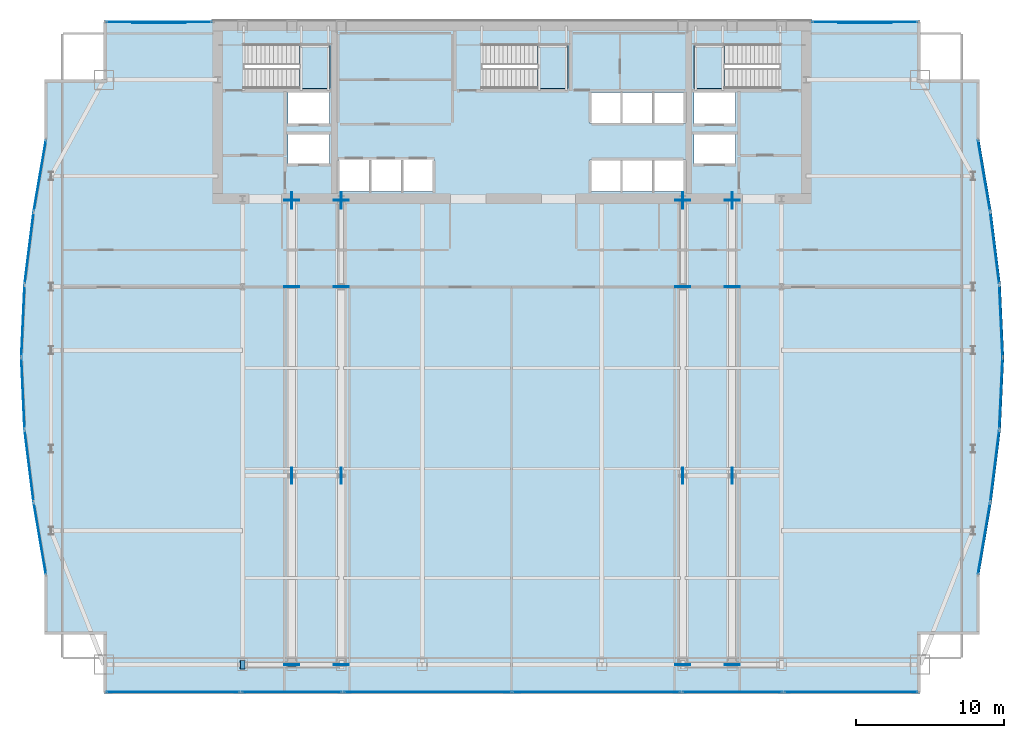
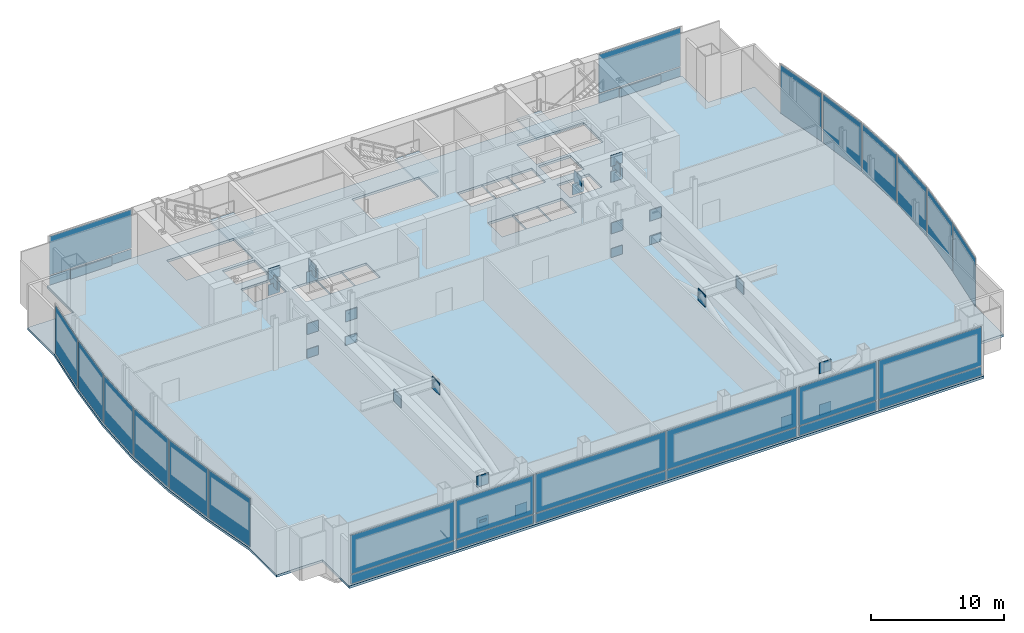
# One storey, part 23 of 30: 60 plates, 4 slabs, 22 elements without a shape of their own.
"""IFC4 building model written with IfcOpenShell, lengths in metres."""

from ifc_helpers import new_model, si_unit, direction, frame, origin, origin_2d, place, context, subcontext, project, spatial, polyline, rectangle, outline, extrude, material, layer, layer_set, type_object, element, aggregate, save


model = new_model("IFC4")

# Units and contexts
model_context = context("Model", 3, precision=1e-05, world=origin(), true_north=direction((0.0, 1.0)))
body_context = subcontext(model_context, "Body", "Model", "MODEL_VIEW")
ifc_project = project(units=[si_unit("LENGTHUNIT", "METRE"), si_unit("AREAUNIT", "SQUARE_METRE"), si_unit("VOLUMEUNIT", "CUBIC_METRE"), si_unit("PLANEANGLEUNIT", "RADIAN"), si_unit("MASSUNIT", "GRAM", prefix="KILO")], contexts=[model_context])

# Site, building, storey
site_placement = place(None, origin())
site = spatial("IfcSite", under=ifc_project, at=site_placement, CompositionType="ELEMENT")
building_placement = place(site_placement, origin())
building = spatial("IfcBuilding", under=site, at=building_placement, Name="Khoronbel Lancet Exchange", CompositionType="ELEMENT")
storey_placement = place(building_placement, frame((0.0, 0.0, 172.199951171875)))
storey = spatial("IfcBuildingStorey", under=building, at=storey_placement, Name="L43", CompositionType="ELEMENT", Elevation=172.199951171875)

# Curtain wall, plate
ifc_material_1 = material(Name="Low-E Solar Control Insulating Glass", Category="glass")
curtain_wall_type_1 = type_object("IfcCurtainWallType", Name="CW-4", PredefinedType="NOTDEFINED", material=ifc_material_1)
curtain_wall_1_placement = place(storey_placement, origin())
curtain_wall_1 = element("IfcCurtainWall", 1, at=curtain_wall_1_placement, inside=storey, type_object=curtain_wall_type_1, Name="Unitised curtain wall CW-L43-E05", PredefinedType="NOTDEFINED")
ifc_material_2 = material(Name="Bronze-Anodised Aluminium 6063-T6", Category="aluminium")
ifc_layer_1 = layer(ifc_material_2, 0.050048828125, Name="Bronze-Anodised Aluminium 6063-T6")
ifc_layer_set_1 = layer_set([ifc_layer_1], Name="Bronze-Anodised Aluminium 6063-T6")
plate_type_1 = type_object("IfcPlateType", Name="PLT-CSP1", PredefinedType="SHEET", material=ifc_layer_set_1)
plate_1_placement = place(storey_placement, frame((3.794677734375, 23.58544921875, 0.0849609375), z_axis=(0.0, 0.0, 1.0), x_axis=(-0.123838274483, 0.992302414475, 0.0)))
plate_1 = element("IfcPlate", 2, at=plate_1_placement, type_object=plate_type_1, Name="CW4 panel 1.1", PredefinedType="CURTAIN_PANEL", context=body_context, shape_type="SweptSolid", body=[
    extrude(rectangle(XDim=4.79931640625, YDim=0.0380859375, at=origin_2d()), origin(), (0.0, 0.0, 1.0), 4.469970703125),
])
aggregate(curtain_wall_1, [plate_1])

curtain_wall_2_placement = place(storey_placement, origin())
curtain_wall_2 = element("IfcCurtainWall", 3, at=curtain_wall_2_placement, inside=storey, type_object=curtain_wall_type_1, Name="Unitised curtain wall CW-L43-E06", PredefinedType="NOTDEFINED")
plate_2_placement = place(storey_placement, frame((3.376220703125, 28.495361328125, 0.0849609375), z_axis=(0.0, 0.0, 1.0), x_axis=(-0.045602424407, 0.998959668299, 0.0)))
plate_2 = element("IfcPlate", 4, at=plate_2_placement, type_object=plate_type_1, Name="CW4 panel 1.1", PredefinedType="CURTAIN_PANEL", context=body_context, shape_type="SweptSolid", body=[
    extrude(rectangle(XDim=4.76416015625, YDim=0.0380859375, at=origin_2d()), origin(), (0.0, 0.0, 1.0), 4.469970703125),
])
aggregate(curtain_wall_2, [plate_2])

curtain_wall_3_placement = place(storey_placement, origin())
curtain_wall_3 = element("IfcCurtainWall", 5, at=curtain_wall_3_placement, inside=storey, type_object=curtain_wall_type_1, Name="Unitised curtain wall CW-L43-E07", PredefinedType="NOTDEFINED")
plate_3_placement = place(storey_placement, frame((3.376220703125, 33.404541015625, 0.0849609375), z_axis=(0.0, 0.0, 1.0), x_axis=(0.045602424407, 0.998959668299, 0.0)))
plate_3 = element("IfcPlate", 6, at=plate_3_placement, type_object=plate_type_1, Name="CW4 panel 1.1", PredefinedType="CURTAIN_PANEL", context=body_context, shape_type="SweptSolid", body=[
    extrude(rectangle(XDim=4.76416015625, YDim=0.0380859375, at=origin_2d()), origin(), (0.0, 0.0, 1.0), 4.469970703125),
])
aggregate(curtain_wall_3, [plate_3])

curtain_wall_4_placement = place(storey_placement, origin())
curtain_wall_4 = element("IfcCurtainWall", 7, at=curtain_wall_4_placement, inside=storey, type_object=curtain_wall_type_1, Name="Unitised curtain wall CW-L43-E08", PredefinedType="NOTDEFINED")
plate_4_placement = place(storey_placement, frame((3.794677734375, 38.314697265625, 0.0849609375), z_axis=(0.0, 0.0, 1.0), x_axis=(0.123838274483, 0.992302414475, 0.0)))
plate_4 = element("IfcPlate", 8, at=plate_4_placement, type_object=plate_type_1, Name="CW4 panel 1.1", PredefinedType="CURTAIN_PANEL", context=body_context, shape_type="SweptSolid", body=[
    extrude(rectangle(XDim=4.79931640625, YDim=0.0380859375, at=origin_2d()), origin(), (0.0, 0.0, 1.0), 4.469970703125),
])
aggregate(curtain_wall_4, [plate_4])

curtain_wall_type_2 = type_object("IfcCurtainWallType", Name="CW-3", PredefinedType="NOTDEFINED", material=ifc_material_1)
curtain_wall_5_placement = place(storey_placement, origin())
curtain_wall_5 = element("IfcCurtainWall", 9, at=curtain_wall_5_placement, inside=storey, type_object=curtain_wall_type_2, Name="Unitised curtain wall CW-L43-NWFLK", PredefinedType="NOTDEFINED")
plate_5_placement = place(storey_placement, frame((12.580078125, 53.550048828125, 0.0498046875), z_axis=(0.0, 0.0, 1.0), x_axis=(-1.0, 0.0, 0.0)))
plate_5 = element("IfcPlate", 10, at=plate_5_placement, type_object=plate_type_1, Name="Insulated bronze spandrel cassette CW-L43-NWFLK", PredefinedType="SHEET", context=body_context, shape_type="SweptSolid", body=[
    extrude(rectangle(XDim=3.60009765625, YDim=0.050048828125, at=origin_2d()), origin(), (0.0, 0.0, 1.0), 0.800048828125),
])

curtain_wall_6_placement = place(storey_placement, origin())
curtain_wall_6 = element("IfcCurtainWall", 11, at=curtain_wall_6_placement, inside=storey, type_object=curtain_wall_type_2, Name="Unitised curtain wall CW-L43-NEFLK", PredefinedType="NOTDEFINED")
plate_6_placement = place(storey_placement, frame((60.320068359375, 53.550048828125, 0.0498046875), z_axis=(0.0, 0.0, 1.0), x_axis=(-1.0, 0.0, 0.0)))
plate_6 = element("IfcPlate", 12, at=plate_6_placement, type_object=plate_type_1, Name="Insulated bronze spandrel cassette CW-L43-NEFLK", PredefinedType="SHEET", context=body_context, shape_type="SweptSolid", body=[
    extrude(rectangle(XDim=3.60009765625, YDim=0.050048828125, at=origin_2d()), origin(), (0.0, 0.0, 1.0), 0.800048828125),
])

curtain_wall_7_placement = place(storey_placement, origin())
curtain_wall_7 = element("IfcCurtainWall", 13, at=curtain_wall_7_placement, inside=storey, type_object=curtain_wall_type_1, Name="Unitised curtain wall CW-L43-E18", PredefinedType="NOTDEFINED")
plate_7_placement = place(storey_placement, frame((69.10546875, 38.314697265625, 0.0849609375), z_axis=(0.0, 0.0, 1.0), x_axis=(0.123838274483, -0.992302414475, 0.0)))
plate_7 = element("IfcPlate", 14, at=plate_7_placement, type_object=plate_type_1, Name="CW4 panel 1.1", PredefinedType="CURTAIN_PANEL", context=body_context, shape_type="SweptSolid", body=[
    extrude(rectangle(XDim=4.79931640625, YDim=0.0380859375, at=origin_2d()), origin(), (0.0, 0.0, 1.0), 4.469970703125),
])
aggregate(curtain_wall_7, [plate_7])

curtain_wall_8_placement = place(storey_placement, origin())
curtain_wall_8 = element("IfcCurtainWall", 15, at=curtain_wall_8_placement, inside=storey, type_object=curtain_wall_type_1, Name="Unitised curtain wall CW-L43-E19", PredefinedType="NOTDEFINED")
plate_8_placement = place(storey_placement, frame((69.52392578125, 33.404541015625, 0.0849609375), z_axis=(0.0, 0.0, 1.0), x_axis=(0.045602424407, -0.998959668299, 0.0)))
plate_8 = element("IfcPlate", 16, at=plate_8_placement, type_object=plate_type_1, Name="CW4 panel 1.1", PredefinedType="CURTAIN_PANEL", context=body_context, shape_type="SweptSolid", body=[
    extrude(rectangle(XDim=4.76416015625, YDim=0.0380859375, at=origin_2d()), origin(), (0.0, 0.0, 1.0), 4.469970703125),
])
aggregate(curtain_wall_8, [plate_8])

curtain_wall_9_placement = place(storey_placement, origin())
curtain_wall_9 = element("IfcCurtainWall", 17, at=curtain_wall_9_placement, inside=storey, type_object=curtain_wall_type_1, Name="Unitised curtain wall CW-L43-E20", PredefinedType="NOTDEFINED")
plate_9_placement = place(storey_placement, frame((69.52392578125, 28.495361328125, 0.0849609375), z_axis=(0.0, 0.0, 1.0), x_axis=(-0.045602424407, -0.998959668299, 0.0)))
plate_9 = element("IfcPlate", 18, at=plate_9_placement, type_object=plate_type_1, Name="CW4 panel 1.1", PredefinedType="CURTAIN_PANEL", context=body_context, shape_type="SweptSolid", body=[
    extrude(rectangle(XDim=4.76416015625, YDim=0.0380859375, at=origin_2d()), origin(), (0.0, 0.0, 1.0), 4.469970703125),
])
aggregate(curtain_wall_9, [plate_9])

curtain_wall_10_placement = place(storey_placement, origin())
curtain_wall_10 = element("IfcCurtainWall", 19, at=curtain_wall_10_placement, inside=storey, type_object=curtain_wall_type_1, Name="Unitised curtain wall CW-L43-E21", PredefinedType="NOTDEFINED")
plate_10_placement = place(storey_placement, frame((69.10546875, 23.58544921875, 0.0849609375), z_axis=(0.0, 0.0, 1.0), x_axis=(-0.123838274483, -0.992302414475, 0.0)))
plate_10 = element("IfcPlate", 20, at=plate_10_placement, type_object=plate_type_1, Name="CW4 panel 1.1", PredefinedType="CURTAIN_PANEL", context=body_context, shape_type="SweptSolid", body=[
    extrude(rectangle(XDim=4.79931640625, YDim=0.0380859375, at=origin_2d()), origin(), (0.0, 0.0, 1.0), 4.469970703125),
])
aggregate(curtain_wall_10, [plate_10])

# Curtain wall, plates
curtain_wall_11_placement = place(storey_placement, origin())
curtain_wall_11 = element("IfcCurtainWall", 21, at=curtain_wall_11_placement, inside=storey, type_object=curtain_wall_type_2, Name="Unitised curtain wall CW-L43-SWB", PredefinedType="NOTDEFINED")
plate_11_placement = place(storey_placement, frame((21.550048828125, 8.2900390625, 0.0849609375), z_axis=(0.0, 0.0, 1.0), x_axis=(1.0, 0.0, 0.0)))
plate_11 = element("IfcPlate", 22, at=plate_11_placement, type_object=plate_type_1, Name="CW3 panel 1.1", PredefinedType="CURTAIN_PANEL", context=body_context, shape_type="SweptSolid", body=[
    extrude(rectangle(XDim=6.72998046875, YDim=0.0380859375, at=origin_2d()), origin(), (0.0, 0.0, 1.0), 0.822509765625),
])
plate_12_placement = place(storey_placement, frame((21.550048828125, 8.2900390625, 0.992431640625), z_axis=(0.0, 0.0, 1.0), x_axis=(1.0, 0.0, 0.0)))
plate_12 = element("IfcPlate", 23, at=plate_12_placement, type_object=plate_type_1, Name="CW3 panel 1.2", PredefinedType="CURTAIN_PANEL", context=body_context, shape_type="SweptSolid", body=[
    extrude(rectangle(XDim=6.72998046875, YDim=0.0380859375, at=origin_2d()), origin(), (0.0, 0.0, 1.0), 3.5625),
])
aggregate(curtain_wall_11, [plate_11, plate_12])

curtain_wall_12_placement = place(storey_placement, origin())
curtain_wall_12 = element("IfcCurtainWall", 24, at=curtain_wall_12_placement, inside=storey, type_object=curtain_wall_type_2, Name="Unitised curtain wall CW-L43-SEB", PredefinedType="NOTDEFINED")
plate_13_placement = place(storey_placement, frame((51.35009765625, 8.2900390625, 0.0849609375), z_axis=(0.0, 0.0, 1.0), x_axis=(1.0, 0.0, 0.0)))
plate_13 = element("IfcPlate", 25, at=plate_13_placement, type_object=plate_type_1, Name="CW3 panel 1.1", PredefinedType="CURTAIN_PANEL", context=body_context, shape_type="SweptSolid", body=[
    extrude(rectangle(XDim=6.72998046875, YDim=0.0380859375, at=origin_2d()), origin(), (0.0, 0.0, 1.0), 0.822509765625),
])
plate_14_placement = place(storey_placement, frame((51.35009765625, 8.2900390625, 0.992431640625), z_axis=(0.0, 0.0, 1.0), x_axis=(1.0, 0.0, 0.0)))
plate_14 = element("IfcPlate", 26, at=plate_14_placement, type_object=plate_type_1, Name="CW3 panel 1.2", PredefinedType="CURTAIN_PANEL", context=body_context, shape_type="SweptSolid", body=[
    extrude(rectangle(XDim=6.72998046875, YDim=0.0380859375, at=origin_2d()), origin(), (0.0, 0.0, 1.0), 3.5625),
])
aggregate(curtain_wall_12, [plate_13, plate_14])

# Plate
ifc_layer_2 = layer(ifc_material_1, 0.035888671875, Name="Low-E Solar Control Insulating Glass")
ifc_layer_set_2 = layer_set([ifc_layer_2], Name="Low-E Solar Control Insulating Glass")
plate_type_2 = type_object("IfcPlateType", Name="PLT-CWP1", PredefinedType="CURTAIN_PANEL", material=ifc_layer_set_2)
plate_15_placement = place(storey_placement, frame((12.580078125, 53.610107421875, 0.0849609375), z_axis=(0.0, 0.0, 1.0), x_axis=(-1.0, 0.0, 0.0)))
plate_15 = element("IfcPlate", 27, at=plate_15_placement, type_object=plate_type_2, Name="CW3 panel 1.1", PredefinedType="CURTAIN_PANEL", context=body_context, shape_type="SweptSolid", body=[
    extrude(rectangle(XDim=7.110107421875, YDim=0.0380859375, at=origin_2d()), origin(), (0.0, 0.0, 1.0), 0.822509765625),
])

plate_16_placement = place(storey_placement, frame((12.580078125, 53.610107421875, 0.992431640625), z_axis=(0.0, 0.0, 1.0), x_axis=(-1.0, 0.0, 0.0)))
plate_16 = element("IfcPlate", 28, at=plate_16_placement, type_object=plate_type_2, Name="CW3 panel 1.2", PredefinedType="CURTAIN_PANEL", context=body_context, shape_type="SweptSolid", body=[
    extrude(rectangle(XDim=7.110107421875, YDim=0.0380859375, at=origin_2d()), origin(), (0.0, 0.0, 1.0), 3.5625),
])

aggregate(curtain_wall_5, [plate_15, plate_16, plate_5])

plate_17_placement = place(storey_placement, frame((60.320068359375, 53.610107421875, 0.0849609375), z_axis=(0.0, 0.0, 1.0), x_axis=(-1.0, 0.0, 0.0)))
plate_17 = element("IfcPlate", 29, at=plate_17_placement, type_object=plate_type_2, Name="CW3 panel 1.1", PredefinedType="CURTAIN_PANEL", context=body_context, shape_type="SweptSolid", body=[
    extrude(rectangle(XDim=7.110107421875, YDim=0.0380859375, at=origin_2d()), origin(), (0.0, 0.0, 1.0), 0.822509765625),
])

plate_18_placement = place(storey_placement, frame((60.320068359375, 53.610107421875, 0.992431640625), z_axis=(0.0, 0.0, 1.0), x_axis=(-1.0, 0.0, 0.0)))
plate_18 = element("IfcPlate", 30, at=plate_18_placement, type_object=plate_type_2, Name="CW3 panel 1.2", PredefinedType="CURTAIN_PANEL", context=body_context, shape_type="SweptSolid", body=[
    extrude(rectangle(XDim=7.110107421875, YDim=0.0380859375, at=origin_2d()), origin(), (0.0, 0.0, 1.0), 3.5625),
])

aggregate(curtain_wall_6, [plate_17, plate_18, plate_6])

# Curtain wall, plates
curtain_wall_13_placement = place(storey_placement, origin())
curtain_wall_13 = element("IfcCurtainWall", 31, at=curtain_wall_13_placement, inside=storey, type_object=curtain_wall_type_2, Name="Unitised curtain wall CW-L43-SWV", PredefinedType="NOTDEFINED")
plate_19_placement = place(storey_placement, frame((13.52001953125, 8.2900390625, 0.0849609375), z_axis=(0.0, 0.0, 1.0), x_axis=(1.0, 0.0, 0.0)))
plate_19 = element("IfcPlate", 32, at=plate_19_placement, type_object=plate_type_2, Name="CW3 panel 1.1", PredefinedType="CURTAIN_PANEL", context=body_context, shape_type="SweptSolid", body=[
    extrude(rectangle(XDim=8.989990234375, YDim=0.0380859375, at=origin_2d()), origin(), (0.0, 0.0, 1.0), 0.822509765625),
])
plate_20_placement = place(storey_placement, frame((13.52001953125, 8.2900390625, 0.992431640625), z_axis=(0.0, 0.0, 1.0), x_axis=(1.0, 0.0, 0.0)))
plate_20 = element("IfcPlate", 33, at=plate_20_placement, type_object=plate_type_2, Name="CW3 panel 1.2", PredefinedType="CURTAIN_PANEL", context=body_context, shape_type="SweptSolid", body=[
    extrude(rectangle(XDim=8.989990234375, YDim=0.0380859375, at=origin_2d()), origin(), (0.0, 0.0, 1.0), 3.5625),
])
aggregate(curtain_wall_13, [plate_19, plate_20])

curtain_wall_14_placement = place(storey_placement, origin())
curtain_wall_14 = element("IfcCurtainWall", 34, at=curtain_wall_14_placement, inside=storey, type_object=curtain_wall_type_2, Name="Unitised curtain wall CW-L43-SCV", PredefinedType="NOTDEFINED")
plate_21_placement = place(storey_placement, frame((30.746337890625, 8.2900390625, 0.0849609375), z_axis=(0.0, 0.0, 1.0), x_axis=(1.0, 0.0, 0.0)))
plate_21 = element("IfcPlate", 35, at=plate_21_placement, type_object=plate_type_2, Name="CW3 panel 1.1", PredefinedType="CURTAIN_PANEL", context=body_context, shape_type="SweptSolid", body=[
    extrude(rectangle(XDim=11.322509765625, YDim=0.0380859375, at=origin_2d()), origin(), (0.0, 0.0, 1.0), 0.822509765625),
])
plate_22_placement = place(storey_placement, frame((30.746337890625, 8.2900390625, 0.992431640625), z_axis=(0.0, 0.0, 1.0), x_axis=(1.0, 0.0, 0.0)))
plate_22 = element("IfcPlate", 36, at=plate_22_placement, type_object=plate_type_2, Name="CW3 panel 1.2", PredefinedType="CURTAIN_PANEL", context=body_context, shape_type="SweptSolid", body=[
    extrude(rectangle(XDim=11.322509765625, YDim=0.0380859375, at=origin_2d()), origin(), (0.0, 0.0, 1.0), 3.5625),
])
plate_23_placement = place(storey_placement, frame((42.15380859375, 8.2900390625, 0.0849609375), z_axis=(0.0, 0.0, 1.0), x_axis=(1.0, 0.0, 0.0)))
plate_23 = element("IfcPlate", 37, at=plate_23_placement, type_object=plate_type_2, Name="CW3 panel 2.1", PredefinedType="CURTAIN_PANEL", context=body_context, shape_type="SweptSolid", body=[
    extrude(rectangle(XDim=11.322509765625, YDim=0.0380859375, at=origin_2d()), origin(), (0.0, 0.0, 1.0), 0.822509765625),
])
plate_24_placement = place(storey_placement, frame((42.15380859375, 8.2900390625, 0.992431640625), z_axis=(0.0, 0.0, 1.0), x_axis=(1.0, 0.0, 0.0)))
plate_24 = element("IfcPlate", 38, at=plate_24_placement, type_object=plate_type_2, Name="CW3 panel 2.2", PredefinedType="CURTAIN_PANEL", context=body_context, shape_type="SweptSolid", body=[
    extrude(rectangle(XDim=11.322509765625, YDim=0.0380859375, at=origin_2d()), origin(), (0.0, 0.0, 1.0), 3.5625),
])
aggregate(curtain_wall_14, [plate_21, plate_22, plate_23, plate_24])

curtain_wall_15_placement = place(storey_placement, origin())
curtain_wall_15 = element("IfcCurtainWall", 39, at=curtain_wall_15_placement, inside=storey, type_object=curtain_wall_type_2, Name="Unitised curtain wall CW-L43-SEV", PredefinedType="NOTDEFINED")
plate_25_placement = place(storey_placement, frame((59.3798828125, 8.2900390625, 0.0849609375), z_axis=(0.0, 0.0, 1.0), x_axis=(1.0, 0.0, 0.0)))
plate_25 = element("IfcPlate", 40, at=plate_25_placement, type_object=plate_type_2, Name="CW3 panel 1.1", PredefinedType="CURTAIN_PANEL", context=body_context, shape_type="SweptSolid", body=[
    extrude(rectangle(XDim=8.989990234375, YDim=0.0380859375, at=origin_2d()), origin(), (0.0, 0.0, 1.0), 0.822509765625),
])
plate_26_placement = place(storey_placement, frame((59.3798828125, 8.2900390625, 0.992431640625), z_axis=(0.0, 0.0, 1.0), x_axis=(1.0, 0.0, 0.0)))
plate_26 = element("IfcPlate", 41, at=plate_26_placement, type_object=plate_type_2, Name="CW3 panel 1.2", PredefinedType="CURTAIN_PANEL", context=body_context, shape_type="SweptSolid", body=[
    extrude(rectangle(XDim=8.989990234375, YDim=0.0380859375, at=origin_2d()), origin(), (0.0, 0.0, 1.0), 3.5625),
])
aggregate(curtain_wall_15, [plate_25, plate_26])

# Curtain wall, plate
curtain_wall_16_placement = place(storey_placement, origin())
curtain_wall_16 = element("IfcCurtainWall", 42, at=curtain_wall_16_placement, inside=storey, type_object=curtain_wall_type_1, Name="Unitised curtain wall CW-L43-E04", PredefinedType="NOTDEFINED")
ifc_material_3 = material(Name="Ceramic-Fritted Laminated Insulating Glass", Category="glass")
ifc_layer_3 = layer(ifc_material_3, 0.0419921875, Name="Ceramic-Fritted Laminated Insulating Glass")
ifc_layer_set_3 = layer_set([ifc_layer_3], Name="Ceramic-Fritted Laminated Insulating Glass")
plate_type_3 = type_object("IfcPlateType", Name="PLT-CWP2", PredefinedType="CURTAIN_PANEL", material=ifc_layer_set_3)
plate_27_placement = place(storey_placement, frame((4.5205078125, 18.668701171875, 0.0849609375), z_axis=(0.0, 0.0, 1.0), x_axis=(-0.168009300828, 0.985785410135, 0.0)))
plate_27 = element("IfcPlate", 43, at=plate_27_placement, type_object=plate_type_3, Name="CW4 panel 1.1", PredefinedType="CURTAIN_PANEL", context=body_context, shape_type="SweptSolid", body=[
    extrude(rectangle(XDim=4.84326171875, YDim=0.0380859375, at=origin_2d()), origin(), (0.0, 0.0, 1.0), 4.469970703125),
])
aggregate(curtain_wall_16, [plate_27])

curtain_wall_17_placement = place(storey_placement, origin())
curtain_wall_17 = element("IfcCurtainWall", 44, at=curtain_wall_17_placement, inside=storey, type_object=curtain_wall_type_1, Name="Unitised curtain wall CW-L43-E09", PredefinedType="NOTDEFINED")
plate_28_placement = place(storey_placement, frame((4.5205078125, 43.231201171875, 0.0849609375), z_axis=(0.0, 0.0, 1.0), x_axis=(0.168009300828, 0.985785410135, 0.0)))
plate_28 = element("IfcPlate", 45, at=plate_28_placement, type_object=plate_type_3, Name="CW4 panel 1.1", PredefinedType="CURTAIN_PANEL", context=body_context, shape_type="SweptSolid", body=[
    extrude(rectangle(XDim=4.84326171875, YDim=0.0380859375, at=origin_2d()), origin(), (0.0, 0.0, 1.0), 4.469970703125),
])
aggregate(curtain_wall_17, [plate_28])

curtain_wall_18_placement = place(storey_placement, origin())
curtain_wall_18 = element("IfcCurtainWall", 46, at=curtain_wall_18_placement, inside=storey, type_object=curtain_wall_type_1, Name="Unitised curtain wall CW-L43-E17", PredefinedType="NOTDEFINED")
plate_29_placement = place(storey_placement, frame((68.37939453125, 43.231201171875, 0.0849609375), z_axis=(0.0, 0.0, 1.0), x_axis=(0.168009300828, -0.985785410135, 0.0)))
plate_29 = element("IfcPlate", 47, at=plate_29_placement, type_object=plate_type_3, Name="CW4 panel 1.1", PredefinedType="CURTAIN_PANEL", context=body_context, shape_type="SweptSolid", body=[
    extrude(rectangle(XDim=4.84326171875, YDim=0.0380859375, at=origin_2d()), origin(), (0.0, 0.0, 1.0), 4.469970703125),
])
aggregate(curtain_wall_18, [plate_29])

curtain_wall_19_placement = place(storey_placement, origin())
curtain_wall_19 = element("IfcCurtainWall", 48, at=curtain_wall_19_placement, inside=storey, type_object=curtain_wall_type_1, Name="Unitised curtain wall CW-L43-E22", PredefinedType="NOTDEFINED")
plate_30_placement = place(storey_placement, frame((68.37939453125, 18.668701171875, 0.0849609375), z_axis=(0.0, 0.0, 1.0), x_axis=(-0.168009300828, -0.985785410135, 0.0)))
plate_30 = element("IfcPlate", 49, at=plate_30_placement, type_object=plate_type_3, Name="CW4 panel 1.1", PredefinedType="CURTAIN_PANEL", context=body_context, shape_type="SweptSolid", body=[
    extrude(rectangle(XDim=4.84326171875, YDim=0.0380859375, at=origin_2d()), origin(), (0.0, 0.0, 1.0), 4.469970703125),
])
aggregate(curtain_wall_19, [plate_30])

# Plates
ifc_material_4 = material(Name="Steel S460", Category="steel")
ifc_layer_4 = layer(ifc_material_4, 0.044921875, Name="Steel S460")
ifc_layer_set_4 = layer_set([ifc_layer_4], Name="Steel S460")
plate_type_4 = type_object("IfcPlateType", Name="PLT-ECP1", PredefinedType="USERDEFINED", material=ifc_layer_set_4)
for number, where, z_axis, x_axis, name in (
    (50, (21.5625, 10.139892578125, -0.199951171875), (0.0, 0.0, 1.0), (0.0, -1.0, 0.0), "Hollow end cap plate PLT-CAP-MEM-L43-OCH1-BOT-S"),
    (51, (21.5625, 35.7099609375, -0.199951171875), (0.0, 0.0, 1.0), (0.0, 1.0, 0.0), "Hollow end cap plate PLT-CAP-MEM-L43-OCH1-BOT-N"),
    (52, (21.5625, 35.68994140625, 2.179931640625), (0.0, 0.0, 1.0), (0.0, -1.0, 0.0), "Hollow end cap plate PLT-CAP-MEM-L43-OCH1-COR-S"),
    (53, (21.5625, 41.56005859375, 2.179931640625), (0.0, 0.0, 1.0), (0.0, 1.0, 0.0), "Hollow end cap plate PLT-CAP-MEM-L43-OCH1-COR-N"),
    (54, (21.5625, 10.139892578125, 3.64013671875), (0.0, 0.0, 1.0), (0.0, -1.0, 0.0), "Hollow end cap plate PLT-CAP-MEM-L43-OCH1-TOP-S"),
    (55, (21.5625, 41.56005859375, 3.64013671875), (0.0, 0.0, 1.0), (0.0, 1.0, 0.0), "Hollow end cap plate PLT-CAP-MEM-L43-OCH1-TOP-N"),
):
    element("IfcPlate", number, at=place(storey_placement, frame(where, z_axis=z_axis, x_axis=x_axis)), inside=storey, type_object=plate_type_4, Name=name, ObjectType="STIFFENER_PLATE", PredefinedType="USERDEFINED", context=body_context, shape_type="SweptSolid", body=[
        extrude(rectangle(XDim=0.044921875, YDim=1.0, at=origin_2d()), origin(), (0.0, 0.0, 1.0), 1.0),
    ])
plate_31_placement = place(storey_placement, frame((21.8525390625, 10.244873046875, 0.02587890625), z_axis=(0.0, 0.957768330376, 0.287540997647), x_axis=(-1.0, 0.0, 0.0)))
element("IfcPlate", 56, at=plate_31_placement, inside=storey, type_object=plate_type_4, Name="Hollow end cap plate PLT-CAP-MEM-L43-OBR1-1-0", ObjectType="STIFFENER_PLATE", PredefinedType="USERDEFINED", context=body_context, shape_type="SweptSolid", body=[
    extrude(outline(polyline([(0.0, 0.0), (0.580078125, 0.0), (0.580078125, 0.579833984375), (0.0, 0.579833984375), (0.0, 0.0)])), origin(), (0.0, 0.0, -1.0), 0.044921875),
])
for number, where, z_axis, x_axis, name in (
    (57, (24.89990234375, 10.139892578125, -0.199951171875), (0.0, 0.0, 1.0), (0.0, -1.0, 0.0), "Hollow end cap plate PLT-CAP-MEM-L43-OCH2-BOT-S"),
    (58, (24.89990234375, 35.7099609375, -0.199951171875), (0.0, 0.0, 1.0), (0.0, 1.0, 0.0), "Hollow end cap plate PLT-CAP-MEM-L43-OCH2-BOT-N"),
    (59, (24.89990234375, 35.68994140625, 2.179931640625), (0.0, 0.0, 1.0), (0.0, -1.0, 0.0), "Hollow end cap plate PLT-CAP-MEM-L43-OCH2-COR-S"),
    (60, (24.89990234375, 41.56005859375, 2.179931640625), (0.0, 0.0, 1.0), (0.0, 1.0, 0.0), "Hollow end cap plate PLT-CAP-MEM-L43-OCH2-COR-N"),
    (61, (48.0, 10.139892578125, -0.199951171875), (0.0, 0.0, 1.0), (0.0, -1.0, 0.0), "Hollow end cap plate PLT-CAP-MEM-L43-OCH3-BOT-S"),
    (62, (48.0, 35.7099609375, -0.199951171875), (0.0, 0.0, 1.0), (0.0, 1.0, 0.0), "Hollow end cap plate PLT-CAP-MEM-L43-OCH3-BOT-N"),
    (63, (48.0, 35.68994140625, 2.179931640625), (0.0, 0.0, 1.0), (0.0, -1.0, 0.0), "Hollow end cap plate PLT-CAP-MEM-L43-OCH3-COR-S"),
    (64, (48.0, 41.56005859375, 2.179931640625), (0.0, 0.0, 1.0), (0.0, 1.0, 0.0), "Hollow end cap plate PLT-CAP-MEM-L43-OCH3-COR-N"),
    (65, (51.33740234375, 10.139892578125, -0.199951171875), (0.0, 0.0, 1.0), (0.0, -1.0, 0.0), "Hollow end cap plate PLT-CAP-MEM-L43-OCH4-BOT-S"),
    (66, (51.33740234375, 35.7099609375, -0.199951171875), (0.0, 0.0, 1.0), (0.0, 1.0, 0.0), "Hollow end cap plate PLT-CAP-MEM-L43-OCH4-BOT-N"),
    (67, (51.33740234375, 35.68994140625, 2.179931640625), (0.0, 0.0, 1.0), (0.0, -1.0, 0.0), "Hollow end cap plate PLT-CAP-MEM-L43-OCH4-COR-S"),
    (68, (51.33740234375, 41.56005859375, 2.179931640625), (0.0, 0.0, 1.0), (0.0, 1.0, 0.0), "Hollow end cap plate PLT-CAP-MEM-L43-OCH4-COR-N"),
    (69, (51.33740234375, 10.139892578125, 3.64013671875), (0.0, 0.0, 1.0), (0.0, -1.0, 0.0), "Hollow end cap plate PLT-CAP-MEM-L43-OCH4-TOP-S"),
    (70, (51.33740234375, 41.56005859375, 3.64013671875), (0.0, 0.0, 1.0), (0.0, 1.0, 0.0), "Hollow end cap plate PLT-CAP-MEM-L43-OCH4-TOP-N"),
):
    element("IfcPlate", number, at=place(storey_placement, frame(where, z_axis=z_axis, x_axis=x_axis)), inside=storey, type_object=plate_type_4, Name=name, ObjectType="STIFFENER_PLATE", PredefinedType="USERDEFINED", context=body_context, shape_type="SweptSolid", body=[
        extrude(rectangle(XDim=0.044921875, YDim=1.0, at=origin_2d()), origin(), (0.0, 0.0, 1.0), 1.0),
    ])
plate_32_placement = place(storey_placement, frame((18.380126953125, 9.860107421875, 0.0546875), z_axis=(0.866710695082, 0.0, 0.498811157684), x_axis=(0.0, 1.0, 0.0)))
element("IfcPlate", 71, at=plate_32_placement, inside=storey, type_object=plate_type_4, Name="Hollow end cap plate PLT-CAP-MEM-L43-BELT-1-0", ObjectType="STIFFENER_PLATE", PredefinedType="USERDEFINED", context=body_context, shape_type="SweptSolid", body=[
    extrude(outline(polyline([(0.0, 0.0), (0.579833984375, 0.0), (0.579833984375, 0.580078125), (0.0, 0.580078125), (0.0, 0.0)])), origin(), (0.0, 0.0, -1.0), 0.044921875),
])
ifc_layer_5 = layer(ifc_material_4, 0.06005859375, Name="Steel S460")
ifc_layer_set_5 = layer_set([ifc_layer_5], Name="Steel S460")
plate_type_5 = type_object("IfcPlateType", Name="PLT-ND5", PredefinedType="USERDEFINED", material=ifc_layer_set_5)
for number, where, z_axis, x_axis, name in (
    (72, (21.5625, 22.925048828125, 3.340087890625), (0.0, 0.0, 1.0), (1.0, 0.0, 0.0), "ND5 outrigger apex node gusset L43-1"),
    (73, (21.5625, 41.550048828125, 2.860107421875), (0.0, 0.0, 1.0), (1.0, 0.0, 0.0), "ND5 outrigger core embed node gusset L43-1"),
    (74, (24.89990234375, 22.925048828125, 3.340087890625), (0.0, 0.0, 1.0), (1.0, 0.0, 0.0), "ND5 outrigger apex node gusset L43-2"),
    (75, (24.89990234375, 41.550048828125, 2.860107421875), (0.0, 0.0, 1.0), (1.0, 0.0, 0.0), "ND5 outrigger core embed node gusset L43-2"),
    (76, (48.0, 22.925048828125, 3.340087890625), (0.0, 0.0, 1.0), (1.0, 0.0, 0.0), "ND5 outrigger apex node gusset L43-3"),
    (77, (48.0, 41.550048828125, 2.860107421875), (0.0, 0.0, 1.0), (1.0, 0.0, 0.0), "ND5 outrigger core embed node gusset L43-3"),
    (78, (51.33740234375, 22.925048828125, 3.340087890625), (0.0, 0.0, 1.0), (1.0, 0.0, 0.0), "ND5 outrigger apex node gusset L43-4"),
    (79, (51.33740234375, 41.550048828125, 2.860107421875), (0.0, 0.0, 1.0), (1.0, 0.0, 0.0), "ND5 outrigger core embed node gusset L43-4"),
):
    element("IfcPlate", number, at=place(storey_placement, frame(where, z_axis=z_axis, x_axis=x_axis)), inside=storey, type_object=plate_type_5, Name=name, ObjectType="GUSSET_PLATE", PredefinedType="USERDEFINED", context=body_context, shape_type="SweptSolid", body=[
        extrude(rectangle(XDim=0.06005859375, YDim=1.10009765625, at=origin_2d()), origin(), (0.0, 0.0, 1.0), 1.10009765625),
    ])

# Slab
ifc_material_5 = material(Name="Concrete C40/50", Category="concrete")
ifc_layer_6 = layer(ifc_material_5, 0.219970703125, Name="Concrete C40/50")
ifc_layer_set_6 = layer_set([ifc_layer_6], Name="Concrete C40/50")
slab_type_1 = type_object("IfcSlabType", Name="SL-FL220", PredefinedType="FLOOR", material=ifc_layer_set_6)
slab_1_placement = place(storey_placement, frame((0.0, 0.0, -0.219970703125)))
element("IfcSlab", 80, at=slab_1_placement, inside=storey, type_object=slab_type_1, Name="Level L43 composite structural floor slab", PredefinedType="FLOOR", context=body_context, shape_type="SweptSolid", body=[
    extrude(outline(polyline([(8.85009765625, 8.199951171875), (64.050048828125, 8.199951171875), (64.050048828125, 12.199951171875), (68.050048828125, 12.199951171875), (68.050048828125, 16.199951171875), (68.887939453125, 21.11669921875), (69.50146484375, 26.033203125), (69.72607421875, 30.949951171875), (69.50146484375, 35.86669921875), (68.887939453125, 40.783203125), (68.050048828125, 45.699951171875), (68.050048828125, 49.699951171875), (64.050048828125, 49.699951171875), (64.050048828125, 53.699951171875), (8.85009765625, 53.699951171875), (8.85009765625, 49.699951171875), (4.85009765625, 49.699951171875), (4.85009765625, 45.699951171875), (4.011962890625, 40.783203125), (3.3984375, 35.86669921875), (3.174072265625, 30.949951171875), (3.3984375, 26.033203125), (4.011962890625, 21.11669921875), (4.85009765625, 16.199951171875), (4.85009765625, 12.199951171875), (8.85009765625, 12.199951171875), (8.85009765625, 8.199951171875)]), holes=[polyline([(18.324951171875, 49.1201171875), (24.14990234375, 49.1201171875), (24.14990234375, 52.10009765625), (18.324951171875, 52.10009765625), (18.324951171875, 49.1201171875)]), polyline([(48.75, 49.1201171875), (54.574951171875, 49.1201171875), (54.574951171875, 52.10009765625), (48.75, 52.10009765625), (48.75, 49.1201171875)]), polyline([(34.425048828125, 49.1201171875), (40.25, 49.1201171875), (40.25, 52.10009765625), (34.425048828125, 52.10009765625), (34.425048828125, 49.1201171875)]), polyline([(24.699951171875, 42.14990234375), (26.840087890625, 42.14990234375), (26.840087890625, 44.300048828125), (24.699951171875, 44.300048828125), (24.699951171875, 42.14990234375)]), polyline([(26.860107421875, 42.14990234375), (29.0, 42.14990234375), (29.0, 44.300048828125), (26.860107421875, 44.300048828125), (26.860107421875, 42.14990234375)]), polyline([(29.02001953125, 42.14990234375), (31.159912109375, 42.14990234375), (31.159912109375, 44.300048828125), (29.02001953125, 44.300048828125), (29.02001953125, 42.14990234375)]), polyline([(41.739990234375, 46.75), (43.8798828125, 46.75), (43.8798828125, 48.85009765625), (41.739990234375, 48.85009765625), (41.739990234375, 46.75)]), polyline([(43.89990234375, 46.75), (46.0400390625, 46.75), (46.0400390625, 48.85009765625), (43.89990234375, 48.85009765625), (43.89990234375, 46.75)]), polyline([(46.06005859375, 46.75), (48.199951171875, 46.75), (48.199951171875, 48.85009765625), (46.06005859375, 48.85009765625), (46.06005859375, 46.75)]), polyline([(41.739990234375, 42.14990234375), (43.8798828125, 42.14990234375), (43.8798828125, 44.300048828125), (41.739990234375, 44.300048828125), (41.739990234375, 42.14990234375)]), polyline([(43.89990234375, 42.14990234375), (46.0400390625, 42.14990234375), (46.0400390625, 44.300048828125), (43.89990234375, 44.300048828125), (43.89990234375, 42.14990234375)]), polyline([(46.06005859375, 42.14990234375), (48.199951171875, 42.14990234375), (48.199951171875, 44.300048828125), (46.06005859375, 44.300048828125), (46.06005859375, 42.14990234375)]), polyline([(21.300048828125, 46.75), (24.10009765625, 46.75), (24.10009765625, 48.85009765625), (21.300048828125, 48.85009765625), (21.300048828125, 46.75)]), polyline([(48.75, 46.75), (51.550048828125, 46.75), (51.550048828125, 48.85009765625), (48.75, 48.85009765625), (48.75, 46.75)]), polyline([(21.300048828125, 44.050048828125), (24.10009765625, 44.050048828125), (24.10009765625, 46.050048828125), (21.300048828125, 46.050048828125), (21.300048828125, 44.050048828125)]), polyline([(48.75, 44.050048828125), (51.550048828125, 44.050048828125), (51.550048828125, 46.050048828125), (48.75, 46.050048828125), (48.75, 44.050048828125)])]), origin(), (0.0, 0.0, 1.0), 0.219970703125),
])

# Stair, slab
stair_type = type_object("IfcStairType", Name="STR-CORE150", PredefinedType="HALF_TURN_STAIR", material=ifc_material_5)
stair_1_placement = place(storey_placement, origin())
stair_1 = element("IfcStair", 81, at=stair_1_placement, inside=storey, type_object=stair_type, Name="L43 Protected Exit Stair ST1", PredefinedType="HALF_TURN_STAIR")
ifc_layer_7 = layer(ifc_material_5, 0.199951171875, Name="Concrete C40/50")
ifc_layer_set_7 = layer_set([ifc_layer_7], Name="Concrete C40/50")
slab_type_2 = type_object("IfcSlabType", Name="SL-LND180", PredefinedType="LANDING", material=ifc_layer_set_7)
slab_2_placement = place(storey_placement, frame((0.0, 0.0, 2.199951171875)))
slab_2 = element("IfcSlab", 82, at=slab_2_placement, type_object=slab_type_2, Name="ST1 landing 1", PredefinedType="LANDING", context=body_context, shape_type="SweptSolid", body=[
    extrude(outline(polyline([(22.070068359375, 49.1201171875), (24.14990234375, 49.1201171875), (24.14990234375, 52.10009765625), (22.070068359375, 52.10009765625), (22.070068359375, 49.1201171875)])), origin(), (0.0, 0.0, 1.0), 0.2001953125),
])
aggregate(stair_1, [slab_2])

stair_2_placement = place(storey_placement, origin())
stair_2 = element("IfcStair", 83, at=stair_2_placement, inside=storey, type_object=stair_type, Name="L43 Protected Exit Stair ST2", PredefinedType="HALF_TURN_STAIR")
slab_3_placement = place(storey_placement, frame((0.0, 0.0, 2.199951171875)))
slab_3 = element("IfcSlab", 84, at=slab_3_placement, type_object=slab_type_2, Name="ST2 landing 1", PredefinedType="LANDING", context=body_context, shape_type="SweptSolid", body=[
    extrude(outline(polyline([(50.830078125, 52.10009765625), (48.75, 52.10009765625), (48.75, 49.1201171875), (50.830078125, 49.1201171875), (50.830078125, 52.10009765625)])), origin(), (0.0, 0.0, 1.0), 0.2001953125),
])
aggregate(stair_2, [slab_3])

stair_3_placement = place(storey_placement, origin())
stair_3 = element("IfcStair", 85, at=stair_3_placement, inside=storey, type_object=stair_type, Name="L43 Protected Exit Stair ST3", PredefinedType="HALF_TURN_STAIR")
slab_4_placement = place(storey_placement, frame((0.0, 0.0, 2.199951171875)))
slab_4 = element("IfcSlab", 86, at=slab_4_placement, type_object=slab_type_2, Name="ST3 landing 1", PredefinedType="LANDING", context=body_context, shape_type="SweptSolid", body=[
    extrude(outline(polyline([(38.169921875, 49.1201171875), (40.25, 49.1201171875), (40.25, 52.10009765625), (38.169921875, 52.10009765625), (38.169921875, 49.1201171875)])), origin(), (0.0, 0.0, 1.0), 0.2001953125),
])
aggregate(stair_3, [slab_4])

save(model, "model.ifc")
